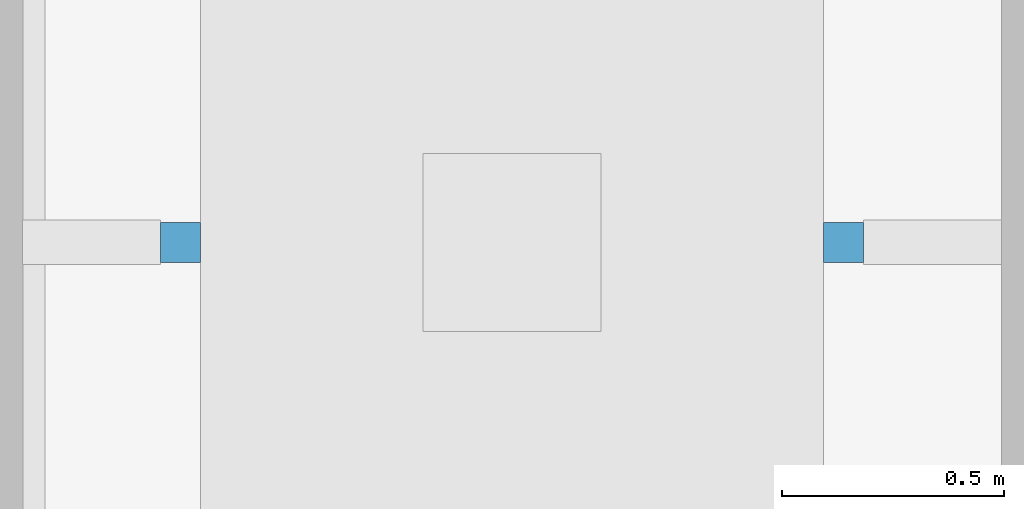
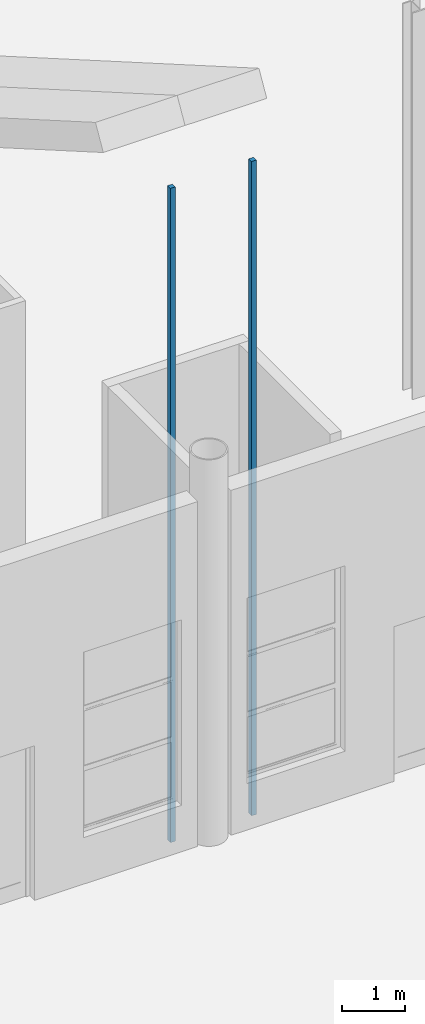
# One storey, part 155 of 250: 2 discrete accessories.
"""IFC4 building model written with IfcOpenShell, lengths in metres."""

from ifc_helpers import new_model, si_unit, direction, frame, origin, origin_2d, place, context, subcontext, project, spatial, rectangle, extrude, material, type_object, element, save


model = new_model("IFC4")

# Units and contexts
model_context = context("Model", 3, precision=1e-05, world=origin(), true_north=direction((0.0, 1.0)))
body_context = subcontext(model_context, "Body", "Model", "MODEL_VIEW")
ifc_project = project(units=[si_unit("LENGTHUNIT", "METRE"), si_unit("AREAUNIT", "SQUARE_METRE"), si_unit("VOLUMEUNIT", "CUBIC_METRE"), si_unit("PLANEANGLEUNIT", "RADIAN"), si_unit("MASSUNIT", "GRAM", prefix="KILO")], contexts=[model_context])

# Site, building, storey
site_placement = place(None, origin())
site = spatial("IfcSite", under=ifc_project, at=site_placement, CompositionType="ELEMENT")
building_placement = place(site_placement, origin())
building = spatial("IfcBuilding", under=site, at=building_placement, Name="Baradari Gate Terminus", CompositionType="ELEMENT")
storey_placement = place(building_placement, origin())
storey = spatial("IfcBuildingStorey", under=building, at=storey_placement, Name="L00", CompositionType="ELEMENT", Elevation=0.0)

# Discrete accessories
ifc_material = material(Name="Steel S355", Category="steel")
discrete_accessory_type = type_object("IfcDiscreteAccessoryType", Name="Lift guide rail GR-L1 90x90", PredefinedType="BRACKET", material=ifc_material)
for number, where, z_axis, x_axis, name in (
    (1, (135.554931640625, 83.14990234375, -1.60009765625), (0.0, 0.0, 1.0), (1.0, 0.0, 0.0), "Lift guide rail LHL 1"),
    (2, (137.044921875, 83.14990234375, -1.60009765625), (0.0, 0.0, 1.0), (1.0, 0.0, 0.0), "Lift guide rail LHL 2"),
):
    element("IfcDiscreteAccessory", number, at=place(storey_placement, frame(where, z_axis=z_axis, x_axis=x_axis)), inside=storey, type_object=discrete_accessory_type, Name=name, PredefinedType="BRACKET", context=body_context, shape_type="SweptSolid", body=[
        extrude(rectangle(XDim=0.090087890625, YDim=0.090087890625, at=origin_2d()), origin(), (0.0, 0.0, 1.0), 12.699951171875),
    ])

save(model, "model.ifc")
